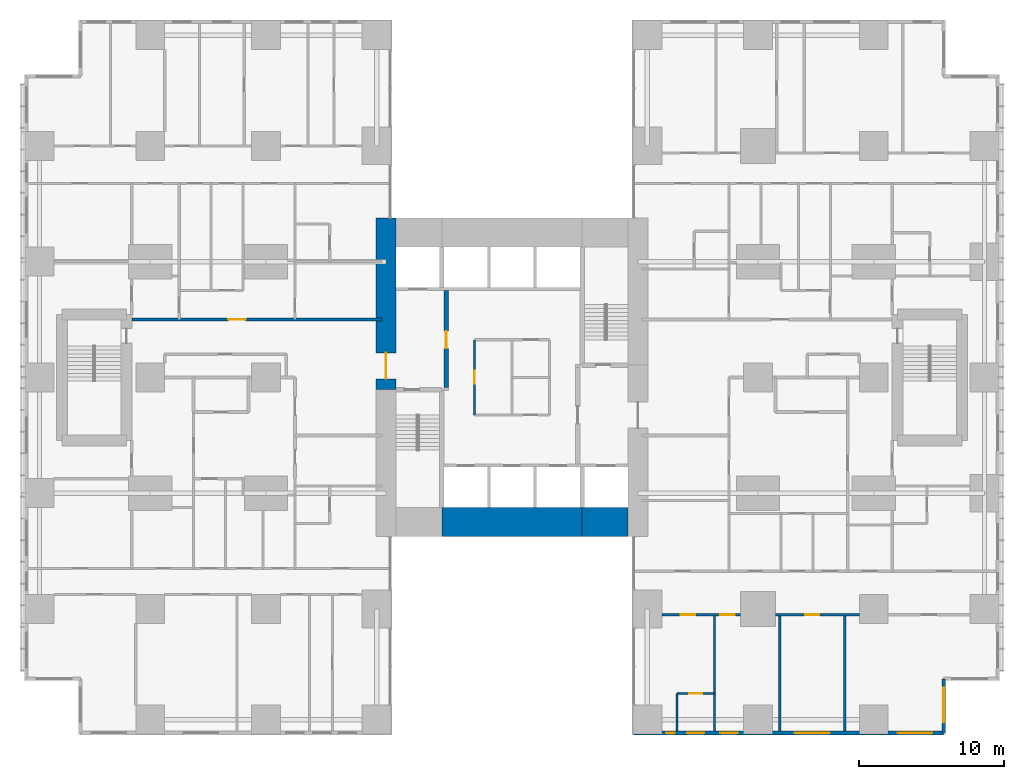
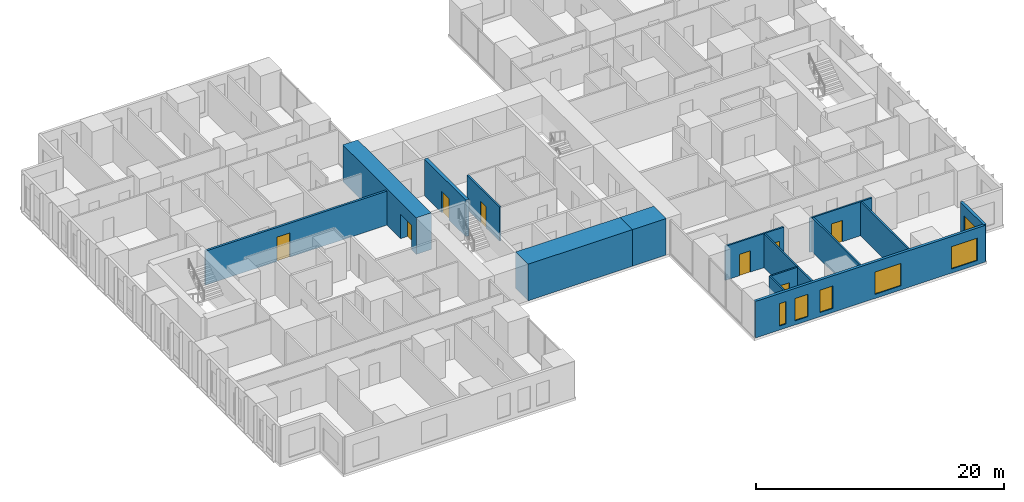
# One storey, part 14 of 20: 15 walls, 8 doors, 6 windows, 14 openings.
"""IFC4 building model written with IfcOpenShell, lengths in metres."""

from ifc_helpers import new_model, si_unit, direction, frame, frame_2d, origin, place, context, subcontext, project, spatial, rectangle, extrude, material, layer, layer_set, type_object, element, fill, save


model = new_model("IFC4")

# Units and contexts
model_context = context("Model", 3, precision=1e-05, world=origin(), true_north=direction((0.0, 1.0)))
body_context = subcontext(model_context, "Body", "Model", "MODEL_VIEW")
ifc_project = project(units=[si_unit("LENGTHUNIT", "METRE"), si_unit("AREAUNIT", "SQUARE_METRE"), si_unit("VOLUMEUNIT", "CUBIC_METRE"), si_unit("PLANEANGLEUNIT", "RADIAN"), si_unit("MASSUNIT", "GRAM", prefix="KILO")], contexts=[model_context])

# Site, building, storey
site_placement = place(None, origin())
site = spatial("IfcSite", under=ifc_project, at=site_placement, CompositionType="ELEMENT")
building_placement = place(site_placement, origin())
building = spatial("IfcBuilding", under=site, at=building_placement, Name="Cleftline Residences", CompositionType="ELEMENT")
storey_placement = place(building_placement, frame((0.0, 0.0, 103.39990234375)))
storey = spatial("IfcBuildingStorey", under=building, at=storey_placement, Name="L26", CompositionType="ELEMENT", Elevation=103.39990234375)

# Wall, opening, door
ifc_material_1 = material(Name="Concrete B70", Category="concrete")
ifc_layer_1 = layer(ifc_material_1, 1.39990234375)
ifc_layer_set_1 = layer_set([ifc_layer_1], Name="CORE WALL 1400")
wall_type_1 = type_object("IfcWallType", Name="CORE WALL 1400", PredefinedType="SHEAR", material=ifc_layer_set_1)
wall_1_placement = place(storey_placement, frame((24.300048828125, 23.14990234375, 0.0), z_axis=(0.0, 0.0, 1.0), x_axis=(0.0, 1.0, 0.0)))
wall_1 = element("IfcWall", 1, at=wall_1_placement, inside=storey, type_object=wall_type_1, Name="Core wall W", PredefinedType="SHEAR", context=body_context, shape_type="SweptSolid", body=[
    extrude(rectangle(XDim=11.85009765625, YDim=1.39990234375, at=frame_2d((5.925048828125, 0.0))), origin(), (0.0, 0.0, 1.0), 3.60009765625),
])
opening_1_placement = place(wall_1_placement, frame((0.75, 0.0, 0.0)))
opening_1 = element("IfcOpeningElement", 2, at=opening_1_placement, cuts=wall_1, Name="Opening D7", PredefinedType="OPENING", context=body_context, shape_type="SweptSolid", body=[
    extrude(rectangle(XDim=1.800048828125, YDim=2.39990234375, at=frame_2d((0.89990234375, 1.199951171875))), frame((0.0, 0.7099609375, 0.0), z_axis=(0.0, -1.0, 0.0), x_axis=(1.0, 0.0, 0.0)), (0.0, 0.0, 1.0), 1.419921875),
])
ifc_material_2 = material(Name="Steel", Category="steel")
door_type_1 = type_object("IfcDoorType", Name="WING DOOR 1800X2400", OperationType="DOUBLE_DOOR_DOUBLE_SWING", PredefinedType="DOOR", material=ifc_material_2)
door_1_placement = place(opening_1_placement, origin())
door_1 = element("IfcDoor", 3, at=door_1_placement, inside=storey, type_object=door_type_1, Name="West wing door", OperationType="DOUBLE_DOOR_DOUBLE_SWING", OverallHeight=2.39990234375, OverallWidth=1.800048828125, PredefinedType="DOOR", context=body_context, shape_type="SweptSolid", body=[
    extrude(rectangle(XDim=1.800048828125, YDim=2.39990234375, at=frame_2d((0.89990234375, 1.199951171875))), frame((0.0, 0.02490234375, 0.0), z_axis=(0.0, -1.0, 0.0), x_axis=(1.0, 0.0, 0.0)), (0.0, 0.0, 1.0), 0.050048828125),
])
fill(opening_1, door_1)

# Walls
ifc_material_3 = material(Name="Concrete B70", Category="concrete")
ifc_layer_2 = layer(ifc_material_3, 2.0)
ifc_layer_set_2 = layer_set([ifc_layer_2], Name="CORE WALL 2000")
wall_type_2 = type_object("IfcWallType", Name="CORE WALL 2000", PredefinedType="SHEAR", material=ifc_layer_set_2)
wall_2_placement = place(storey_placement, frame((28.14990234375, 14.0, 0.0), z_axis=(0.0, 0.0, 1.0), x_axis=(1.0, 0.0, 0.0)))
element("IfcWall", 4, at=wall_2_placement, inside=storey, type_object=wall_type_2, Name="Core wall S2", PredefinedType="SHEAR", context=body_context, shape_type="SweptSolid", body=[
    extrude(rectangle(XDim=9.7001953125, YDim=2.0, at=frame_2d((4.85009765625, 0.0))), origin(), (0.0, 0.0, 1.0), 3.60009765625),
])
wall_3_placement = place(storey_placement, frame((37.85009765625, 14.0, 0.0), z_axis=(0.0, 0.0, 1.0), x_axis=(1.0, 0.0, 0.0)))
element("IfcWall", 5, at=wall_3_placement, inside=storey, type_object=wall_type_2, Name="Core wall S3", PredefinedType="SHEAR", context=body_context, shape_type="SweptSolid", body=[
    extrude(rectangle(XDim=3.14990234375, YDim=2.0, at=frame_2d((1.574951171875, 0.0))), origin(), (0.0, 0.0, 1.0), 3.60009765625),
])

# Wall, openings, windows
ifc_material_4 = material(Name="Rendered reinforced concrete blockwork", Category="masonry")
ifc_layer_3 = layer(ifc_material_4, 0.25)
ifc_layer_set_3 = layer_set([ifc_layer_3], Name="EXTERNAL WALL 250")
wall_type_3 = type_object("IfcWallType", Name="EXTERNAL WALL 250", PredefinedType="SOLIDWALL", material=ifc_layer_set_3)
wall_4_placement = place(storey_placement, frame((41.425048828125, -0.574951171875, 0.0), z_axis=(0.0, 0.0, 1.0), x_axis=(1.0, 0.0, 0.0)))
wall_4 = element("IfcWall", 6, at=wall_4_placement, inside=storey, type_object=wall_type_3, Name="External wall", PredefinedType="SOLIDWALL", context=body_context, shape_type="SweptSolid", body=[
    extrude(rectangle(XDim=21.39990234375, YDim=0.25, at=frame_2d((10.699951171875, 0.0))), origin(), (0.0, 0.0, 1.0), 3.60009765625),
])
opening_2_placement = place(wall_4_placement, frame((2.22509765625, 0.0, 0.39990234375)))
opening_2 = element("IfcOpeningElement", 7, at=opening_2_placement, cuts=wall_4, Name="Opening W10", PredefinedType="OPENING", context=body_context, shape_type="SweptSolid", body=[
    extrude(rectangle(XDim=0.60009765625, YDim=2.199951171875, at=frame_2d((0.300048828125, 1.10009765625))), frame((0.0, 0.135009765625, 0.0), z_axis=(0.0, -1.0, 0.0), x_axis=(1.0, 0.0, 0.0)), (0.0, 0.0, 1.0), 0.27001953125),
])
opening_3_placement = place(wall_4_placement, frame((3.675048828125, 0.0, 0.39990234375)))
opening_3 = element("IfcOpeningElement", 8, at=opening_3_placement, cuts=wall_4, Name="Opening W11", PredefinedType="OPENING", context=body_context, shape_type="SweptSolid", body=[
    extrude(rectangle(XDim=1.199951171875, YDim=2.199951171875, at=frame_2d((0.60009765625, 1.10009765625))), frame((0.0, 0.135009765625, 0.0), z_axis=(0.0, -1.0, 0.0), x_axis=(1.0, 0.0, 0.0)), (0.0, 0.0, 1.0), 0.27001953125),
])
opening_4_placement = place(wall_4_placement, frame((5.97509765625, 0.0, 0.39990234375)))
opening_4 = element("IfcOpeningElement", 9, at=opening_4_placement, cuts=wall_4, Name="Opening W11", PredefinedType="OPENING", context=body_context, shape_type="SweptSolid", body=[
    extrude(rectangle(XDim=1.199951171875, YDim=2.199951171875, at=frame_2d((0.60009765625, 1.10009765625))), frame((0.0, 0.135009765625, 0.0), z_axis=(0.0, -1.0, 0.0), x_axis=(1.0, 0.0, 0.0)), (0.0, 0.0, 1.0), 0.27001953125),
])
opening_5_placement = place(wall_4_placement, frame((11.125, 0.0, 0.39990234375)))
opening_5 = element("IfcOpeningElement", 10, at=opening_5_placement, cuts=wall_4, Name="Opening W12", PredefinedType="OPENING", context=body_context, shape_type="SweptSolid", body=[
    extrude(rectangle(XDim=2.39990234375, YDim=2.199951171875, at=frame_2d((1.199951171875, 1.10009765625))), frame((0.0, 0.135009765625, 0.0), z_axis=(0.0, -1.0, 0.0), x_axis=(1.0, 0.0, 0.0)), (0.0, 0.0, 1.0), 0.27001953125),
])
opening_6_placement = place(wall_4_placement, frame((18.22509765625, 0.0, 0.39990234375)))
opening_6 = element("IfcOpeningElement", 11, at=opening_6_placement, cuts=wall_4, Name="Opening W12", PredefinedType="OPENING", context=body_context, shape_type="SweptSolid", body=[
    extrude(rectangle(XDim=2.39990234375, YDim=2.199951171875, at=frame_2d((1.199951171875, 1.10009765625))), frame((0.0, 0.135009765625, 0.0), z_axis=(0.0, -1.0, 0.0), x_axis=(1.0, 0.0, 0.0)), (0.0, 0.0, 1.0), 0.27001953125),
])
ifc_material_5 = material(Name="Aluminium frame, clear double glazing", Category="aluminium")
window_type_1 = type_object("IfcWindowType", Name="WINDOW 1200X2200", PartitioningType="DOUBLE_PANEL_VERTICAL", PredefinedType="WINDOW", material=ifc_material_5)
window_1_placement = place(opening_3_placement, origin())
window_1 = element("IfcWindow", 12, at=window_1_placement, inside=storey, type_object=window_type_1, Name="Window", OverallHeight=2.199951171875, OverallWidth=1.199951171875, PartitioningType="SINGLE_PANEL", PredefinedType="WINDOW", context=body_context, shape_type="SweptSolid", body=[
    extrude(rectangle(XDim=1.199951171875, YDim=2.199951171875, at=frame_2d((0.60009765625, 1.10009765625))), frame((0.0, 0.030029296875, 0.0), z_axis=(0.0, -1.0, 0.0), x_axis=(1.0, 0.0, 0.0)), (0.0, 0.0, 1.0), 0.06005859375),
])
fill(opening_3, window_1)
window_2_placement = place(opening_4_placement, origin())
window_2 = element("IfcWindow", 13, at=window_2_placement, inside=storey, type_object=window_type_1, Name="Window", OverallHeight=2.199951171875, OverallWidth=1.199951171875, PartitioningType="SINGLE_PANEL", PredefinedType="WINDOW", context=body_context, shape_type="SweptSolid", body=[
    extrude(rectangle(XDim=1.199951171875, YDim=2.199951171875, at=frame_2d((0.60009765625, 1.10009765625))), frame((0.0, 0.030029296875, 0.0), z_axis=(0.0, -1.0, 0.0), x_axis=(1.0, 0.0, 0.0)), (0.0, 0.0, 1.0), 0.06005859375),
])
fill(opening_4, window_2)
ifc_material_6 = material(Name="Aluminium frame, clear double glazing", Category="aluminium")
window_type_2 = type_object("IfcWindowType", Name="WINDOW 2400X2200", PartitioningType="DOUBLE_PANEL_VERTICAL", PredefinedType="WINDOW", material=ifc_material_6)
window_3_placement = place(opening_5_placement, origin())
window_3 = element("IfcWindow", 14, at=window_3_placement, inside=storey, type_object=window_type_2, Name="Window", OverallHeight=2.199951171875, OverallWidth=2.39990234375, PartitioningType="SINGLE_PANEL", PredefinedType="WINDOW", context=body_context, shape_type="SweptSolid", body=[
    extrude(rectangle(XDim=2.39990234375, YDim=2.199951171875, at=frame_2d((1.199951171875, 1.10009765625))), frame((0.0, 0.030029296875, 0.0), z_axis=(0.0, -1.0, 0.0), x_axis=(1.0, 0.0, 0.0)), (0.0, 0.0, 1.0), 0.06005859375),
])
fill(opening_5, window_3)
window_4_placement = place(opening_6_placement, origin())
window_4 = element("IfcWindow", 15, at=window_4_placement, inside=storey, type_object=window_type_2, Name="Window", OverallHeight=2.199951171875, OverallWidth=2.39990234375, PartitioningType="SINGLE_PANEL", PredefinedType="WINDOW", context=body_context, shape_type="SweptSolid", body=[
    extrude(rectangle(XDim=2.39990234375, YDim=2.199951171875, at=frame_2d((1.199951171875, 1.10009765625))), frame((0.0, 0.030029296875, 0.0), z_axis=(0.0, -1.0, 0.0), x_axis=(1.0, 0.0, 0.0)), (0.0, 0.0, 1.0), 0.06005859375),
])
fill(opening_6, window_4)
ifc_material_7 = material(Name="Aluminium frame, clear double glazing", Category="aluminium")
window_type_3 = type_object("IfcWindowType", Name="WINDOW 600X2200", PartitioningType="DOUBLE_PANEL_VERTICAL", PredefinedType="WINDOW", material=ifc_material_7)
window_5_placement = place(opening_2_placement, origin())
window_5 = element("IfcWindow", 16, at=window_5_placement, inside=storey, type_object=window_type_3, Name="Window", OverallHeight=2.199951171875, OverallWidth=0.60009765625, PartitioningType="SINGLE_PANEL", PredefinedType="WINDOW", context=body_context, shape_type="SweptSolid", body=[
    extrude(rectangle(XDim=0.60009765625, YDim=2.199951171875, at=frame_2d((0.300048828125, 1.10009765625))), frame((0.0, 0.030029296875, 0.0), z_axis=(0.0, -1.0, 0.0), x_axis=(1.0, 0.0, 0.0)), (0.0, 0.0, 1.0), 0.06005859375),
])
fill(opening_2, window_5)

# Wall, opening, window
wall_5_placement = place(storey_placement, frame((62.824951171875, -0.574951171875, 0.0), z_axis=(0.0, 0.0, 1.0), x_axis=(0.0, 1.0, 0.0)))
wall_5 = element("IfcWall", 17, at=wall_5_placement, inside=storey, type_object=wall_type_3, Name="External wall", PredefinedType="SOLIDWALL", context=body_context, shape_type="SweptSolid", body=[
    extrude(rectangle(XDim=3.75, YDim=0.25, at=frame_2d((1.875, 0.0))), origin(), (0.0, 0.0, 1.0), 3.60009765625),
])
opening_7_placement = place(wall_5_placement, frame((0.737548828125, 0.0, 0.39990234375)))
opening_7 = element("IfcOpeningElement", 18, at=opening_7_placement, cuts=wall_5, Name="Opening W12", PredefinedType="OPENING", context=body_context, shape_type="SweptSolid", body=[
    extrude(rectangle(XDim=2.39990234375, YDim=2.199951171875, at=frame_2d((1.199951171875, 1.10009765625))), frame((0.0, 0.135009765625, 0.0), z_axis=(0.0, -1.0, 0.0), x_axis=(1.0, 0.0, 0.0)), (0.0, 0.0, 1.0), 0.27001953125),
])
window_6_placement = place(opening_7_placement, origin())
window_6 = element("IfcWindow", 19, at=window_6_placement, inside=storey, type_object=window_type_2, Name="Window", OverallHeight=2.199951171875, OverallWidth=2.39990234375, PartitioningType="SINGLE_PANEL", PredefinedType="WINDOW", context=body_context, shape_type="SweptSolid", body=[
    extrude(rectangle(XDim=2.39990234375, YDim=2.199951171875, at=frame_2d((1.199951171875, 1.10009765625))), frame((0.0, 0.030029296875, 0.0), z_axis=(0.0, -1.0, 0.0), x_axis=(1.0, 0.0, 0.0)), (0.0, 0.0, 1.0), 0.06005859375),
])
fill(opening_7, window_6)

# Wall, opening, door
ifc_material_8 = material(Name="Concrete blockwork, fire rated", Category="masonry")
ifc_layer_4 = layer(ifc_material_8, 0.199951171875)
ifc_layer_set_4 = layer_set([ifc_layer_4], Name="FIRE WALL 200")
wall_type_4 = type_object("IfcWallType", Name="FIRE WALL 200", PredefinedType="PARTITIONING", material=ifc_layer_set_4)
wall_6_placement = place(storey_placement, frame((6.72509765625, 28.0, 0.0), z_axis=(0.0, 0.0, 1.0), x_axis=(1.0, 0.0, 0.0)))
wall_6 = element("IfcWall", 20, at=wall_6_placement, inside=storey, type_object=wall_type_4, Name="Fire separating wall", PredefinedType="PARTITIONING", context=body_context, shape_type="SweptSolid", body=[
    extrude(rectangle(XDim=17.27490234375, YDim=0.199951171875, at=frame_2d((8.637451171875, 0.0))), origin(), (0.0, 0.0, 1.0), 3.35009765625),
])
opening_8_placement = place(wall_6_placement, frame((6.675048828125, 0.0, 0.0)))
opening_8 = element("IfcOpeningElement", 21, at=opening_8_placement, cuts=wall_6, Name="Opening D4", PredefinedType="OPENING", context=body_context, shape_type="SweptSolid", body=[
    extrude(rectangle(XDim=1.199951171875, YDim=2.39990234375, at=frame_2d((0.60009765625, 1.199951171875))), frame((0.0, 0.10986328125, 0.0), z_axis=(0.0, -1.0, 0.0), x_axis=(1.0, 0.0, 0.0)), (0.0, 0.0, 1.0), 0.219970703125),
])
ifc_material_9 = material(Name="Timber veneer on solid core", Category="wood")
door_type_2 = type_object("IfcDoorType", Name="APARTMENT ENTRANCE DOOR 1200X2400", OperationType="SINGLE_SWING_RIGHT", PredefinedType="DOOR", material=ifc_material_9)
door_2_placement = place(opening_8_placement, origin())
door_2 = element("IfcDoor", 22, at=door_2_placement, inside=storey, type_object=door_type_2, Name="Door to residence entrance (gallery)", OperationType="SINGLE_SWING_RIGHT", OverallHeight=2.39990234375, OverallWidth=1.199951171875, PredefinedType="DOOR", context=body_context, shape_type="SweptSolid", body=[
    extrude(rectangle(XDim=1.199951171875, YDim=2.39990234375, at=frame_2d((0.60009765625, 1.199951171875))), frame((0.0, 0.02490234375, 0.0), z_axis=(0.0, -1.0, 0.0), x_axis=(1.0, 0.0, 0.0)), (0.0, 0.0, 1.0), 0.050048828125),
])
fill(opening_8, door_2)

ifc_material_10 = material(Name="Gypsum board on steel studs", Category="steel")
ifc_layer_5 = layer(ifc_material_10, 0.14990234375)
ifc_layer_set_5 = layer_set([ifc_layer_5], Name="PARTITION 150")
wall_type_5 = type_object("IfcWallType", Name="PARTITION 150", PredefinedType="PARTITIONING", material=ifc_layer_set_5)
wall_7_placement = place(storey_placement, frame((44.39990234375, 2.14990234375, 0.0), z_axis=(0.0, 0.0, 1.0), x_axis=(1.0, 0.0, 0.0)))
wall_7 = element("IfcWall", 23, at=wall_7_placement, inside=storey, type_object=wall_type_5, Name="Partition", PredefinedType="PARTITIONING", context=body_context, shape_type="SweptSolid", body=[
    extrude(rectangle(XDim=2.60009765625, YDim=0.14990234375, at=frame_2d((1.300048828125, 0.0))), origin(), (0.0, 0.0, 1.0), 3.35009765625),
])
opening_9_placement = place(wall_7_placement, frame((0.85009765625, 0.0, 0.0)))
opening_9 = element("IfcOpeningElement", 24, at=opening_9_placement, cuts=wall_7, Name="Opening D1", PredefinedType="OPENING", context=body_context, shape_type="SweptSolid", body=[
    extrude(rectangle(XDim=0.89990234375, YDim=2.10009765625, at=frame_2d((0.449951171875, 1.050048828125))), frame((0.0, 0.0849609375, 0.0), z_axis=(0.0, -1.0, 0.0), x_axis=(1.0, 0.0, 0.0)), (0.0, 0.0, 1.0), 0.169921875),
])
ifc_material_11 = material(Name="Timber veneer on solid core", Category="wood")
door_type_3 = type_object("IfcDoorType", Name="DOOR 900X2100", OperationType="SINGLE_SWING_LEFT", PredefinedType="DOOR", material=ifc_material_11)
door_3_placement = place(opening_9_placement, origin())
door_3 = element("IfcDoor", 25, at=door_3_placement, inside=storey, type_object=door_type_3, Name="Door to en-suite bathroom 3", OperationType="SINGLE_SWING_LEFT", OverallHeight=2.10009765625, OverallWidth=0.89990234375, PredefinedType="DOOR", context=body_context, shape_type="SweptSolid", body=[
    extrude(rectangle(XDim=0.89990234375, YDim=2.10009765625, at=frame_2d((0.449951171875, 1.050048828125))), frame((0.0, 0.02490234375, 0.0), z_axis=(0.0, -1.0, 0.0), x_axis=(1.0, 0.0, 0.0)), (0.0, 0.0, 1.0), 0.050048828125),
])
fill(opening_9, door_3)

# Wall, openings, doors
wall_8_placement = place(storey_placement, frame((43.35009765625, 7.60009765625, 0.0), z_axis=(0.0, 0.0, 1.0), x_axis=(1.0, 0.0, 0.0)))
wall_8 = element("IfcWall", 26, at=wall_8_placement, inside=storey, type_object=wall_type_5, Name="Partition", PredefinedType="PARTITIONING", context=body_context, shape_type="SweptSolid", body=[
    extrude(rectangle(XDim=5.449951171875, YDim=0.14990234375, at=frame_2d((2.72509765625, 0.0))), origin(), (0.0, 0.0, 1.0), 3.35009765625),
])
opening_10_placement = place(wall_8_placement, frame((4.050048828125, 0.0, 0.0)))
opening_10 = element("IfcOpeningElement", 27, at=opening_10_placement, cuts=wall_8, Name="Opening D2", PredefinedType="OPENING", context=body_context, shape_type="SweptSolid", body=[
    extrude(rectangle(XDim=1.0, YDim=2.10009765625, at=frame_2d((0.5, 1.050048828125))), frame((0.0, 0.0849609375, 0.0), z_axis=(0.0, -1.0, 0.0), x_axis=(1.0, 0.0, 0.0)), (0.0, 0.0, 1.0), 0.169921875),
])
opening_11_placement = place(wall_8_placement, frame((1.324951171875, 0.0, 0.0)))
opening_11 = element("IfcOpeningElement", 28, at=opening_11_placement, cuts=wall_8, Name="Opening D2", PredefinedType="OPENING", context=body_context, shape_type="SweptSolid", body=[
    extrude(rectangle(XDim=1.0, YDim=2.10009765625, at=frame_2d((0.5, 1.050048828125))), frame((0.0, 0.0849609375, 0.0), z_axis=(0.0, -1.0, 0.0), x_axis=(1.0, 0.0, 0.0)), (0.0, 0.0, 1.0), 0.169921875),
])
ifc_material_12 = material(Name="Timber veneer on solid core", Category="wood")
door_type_4 = type_object("IfcDoorType", Name="DOOR 1000X2100", OperationType="SINGLE_SWING_LEFT", PredefinedType="DOOR", material=ifc_material_12)
door_4_placement = place(opening_10_placement, origin())
door_4 = element("IfcDoor", 29, at=door_4_placement, inside=storey, type_object=door_type_4, Name="Door to show kitchen", OperationType="SINGLE_SWING_LEFT", OverallHeight=2.10009765625, OverallWidth=1.0, PredefinedType="DOOR", context=body_context, shape_type="SweptSolid", body=[
    extrude(rectangle(XDim=1.0, YDim=2.10009765625, at=frame_2d((0.5, 1.050048828125))), frame((0.0, 0.02490234375, 0.0), z_axis=(0.0, -1.0, 0.0), x_axis=(1.0, 0.0, 0.0)), (0.0, 0.0, 1.0), 0.050048828125),
])
fill(opening_10, door_4)
door_5_placement = place(opening_11_placement, origin())
door_5 = element("IfcDoor", 30, at=door_5_placement, inside=storey, type_object=door_type_4, Name="Door to bedroom 3", OperationType="SINGLE_SWING_RIGHT", OverallHeight=2.10009765625, OverallWidth=1.0, PredefinedType="DOOR", context=body_context, shape_type="SweptSolid", body=[
    extrude(rectangle(XDim=1.0, YDim=2.10009765625, at=frame_2d((0.5, 1.050048828125))), frame((0.0, 0.02490234375, 0.0), z_axis=(0.0, -1.0, 0.0), x_axis=(1.0, 0.0, 0.0)), (0.0, 0.0, 1.0), 0.050048828125),
])
fill(opening_11, door_5)

# Wall, opening, door
wall_9_placement = place(storey_placement, frame((51.199951171875, 7.60009765625, 0.0), z_axis=(0.0, 0.0, 1.0), x_axis=(1.0, 0.0, 0.0)))
wall_9 = element("IfcWall", 31, at=wall_9_placement, inside=storey, type_object=wall_type_5, Name="Partition", PredefinedType="PARTITIONING", context=body_context, shape_type="SweptSolid", body=[
    extrude(rectangle(XDim=5.800048828125, YDim=0.14990234375, at=frame_2d((2.89990234375, 0.0))), origin(), (0.0, 0.0, 1.0), 3.35009765625),
])
opening_12_placement = place(wall_9_placement, frame((2.050048828125, 0.0, 0.0)))
opening_12 = element("IfcOpeningElement", 32, at=opening_12_placement, cuts=wall_9, Name="Opening D2", PredefinedType="OPENING", context=body_context, shape_type="SweptSolid", body=[
    extrude(rectangle(XDim=1.0, YDim=2.10009765625, at=frame_2d((0.5, 1.050048828125))), frame((0.0, 0.0849609375, 0.0), z_axis=(0.0, -1.0, 0.0), x_axis=(1.0, 0.0, 0.0)), (0.0, 0.0, 1.0), 0.169921875),
])
door_6_placement = place(opening_12_placement, origin())
door_6 = element("IfcDoor", 33, at=door_6_placement, inside=storey, type_object=door_type_4, Name="Door to dining room", OperationType="SINGLE_SWING_RIGHT", OverallHeight=2.10009765625, OverallWidth=1.0, PredefinedType="DOOR", context=body_context, shape_type="SweptSolid", body=[
    extrude(rectangle(XDim=1.0, YDim=2.10009765625, at=frame_2d((0.5, 1.050048828125))), frame((0.0, 0.02490234375, 0.0), z_axis=(0.0, -1.0, 0.0), x_axis=(1.0, 0.0, 0.0)), (0.0, 0.0, 1.0), 0.050048828125),
])
fill(opening_12, door_6)

# Walls
wall_10_placement = place(storey_placement, frame((44.39990234375, -0.449951171875, 0.0), z_axis=(0.0, 0.0, 1.0), x_axis=(0.0, 1.0, 0.0)))
element("IfcWall", 34, at=wall_10_placement, inside=storey, type_object=wall_type_5, Name="Partition", PredefinedType="PARTITIONING", context=body_context, shape_type="SweptSolid", body=[
    extrude(rectangle(XDim=2.599853515625, YDim=0.14990234375, at=frame_2d((1.2998046875, 0.0))), origin(), (0.0, 0.0, 1.0), 3.35009765625),
])
for number, where, z_axis, x_axis, name in (
    (35, (47.0, -0.449951171875, 0.0), (0.0, 0.0, 1.0), (0.0, 1.0, 0.0), "Partition"),
    (36, (51.5, -0.449951171875, 0.0), (0.0, 0.0, 1.0), (0.0, 1.0, 0.0), "Partition"),
    (37, (56.0, -0.449951171875, 0.0), (0.0, 0.0, 1.0), (0.0, 1.0, 0.0), "Partition"),
):
    element("IfcWall", number, at=place(storey_placement, frame(where, z_axis=z_axis, x_axis=x_axis)), inside=storey, type_object=wall_type_5, Name=name, PredefinedType="PARTITIONING", context=body_context, shape_type="SweptSolid", body=[
        extrude(rectangle(XDim=8.050048828125, YDim=0.14990234375, at=frame_2d((4.02490234375, 0.0))), origin(), (0.0, 0.0, 1.0), 3.35009765625),
    ])

# Wall, opening, door
ifc_material_13 = material(Name="Fire-resisting gypsum board on steel studs", Category="steel")
ifc_layer_6 = layer(ifc_material_13, 0.14990234375)
ifc_layer_set_6 = layer_set([ifc_layer_6], Name="PARTITION 150 EI 60")
wall_type_6 = type_object("IfcWallType", Name="PARTITION 150 EI 60", PredefinedType="PARTITIONING", material=ifc_layer_set_6)
wall_11_placement = place(storey_placement, frame((30.39990234375, 21.39990234375, 0.0), z_axis=(0.0, 0.0, 1.0), x_axis=(0.0, 1.0, 0.0)))
wall_11 = element("IfcWall", 38, at=wall_11_placement, inside=storey, type_object=wall_type_6, Name="Core room partition", PredefinedType="PARTITIONING", context=body_context, shape_type="SweptSolid", body=[
    extrude(rectangle(XDim=5.2001953125, YDim=0.14990234375, at=frame_2d((2.60009765625, 0.0))), origin(), (0.0, 0.0, 1.0), 3.35009765625),
])
opening_13_placement = place(wall_11_placement, frame((2.14990234375, 0.0, 0.0)))
opening_13 = element("IfcOpeningElement", 39, at=opening_13_placement, cuts=wall_11, Name="Opening D1F30", PredefinedType="OPENING", context=body_context, shape_type="SweptSolid", body=[
    extrude(rectangle(XDim=0.89990234375, YDim=2.10009765625, at=frame_2d((0.449951171875, 1.050048828125))), frame((0.0, 0.0849609375, 0.0), z_axis=(0.0, -1.0, 0.0), x_axis=(1.0, 0.0, 0.0)), (0.0, 0.0, 1.0), 0.169921875),
])
ifc_material_14 = material(Name="Timber veneer on solid core", Category="wood")
door_type_5 = type_object("IfcDoorType", Name="DOOR 900X2100 EI 30", OperationType="SINGLE_SWING_LEFT", PredefinedType="DOOR", material=ifc_material_14)
door_7_placement = place(opening_13_placement, origin())
door_7 = element("IfcDoor", 40, at=door_7_placement, inside=storey, type_object=door_type_5, Name="Door to linen store", OperationType="SINGLE_SWING_LEFT", OverallHeight=2.10009765625, OverallWidth=0.89990234375, PredefinedType="DOOR", context=body_context, shape_type="SweptSolid", body=[
    extrude(rectangle(XDim=0.89990234375, YDim=2.10009765625, at=frame_2d((0.449951171875, 1.050048828125))), frame((0.0, 0.02490234375, 0.0), z_axis=(0.0, -1.0, 0.0), x_axis=(1.0, 0.0, 0.0)), (0.0, 0.0, 1.0), 0.050048828125),
])
fill(opening_13, door_7)

ifc_material_15 = material(Name="Concrete blockwork, fire rated", Category="masonry")
ifc_layer_7 = layer(ifc_material_15, 0.300048828125)
ifc_layer_set_7 = layer_set([ifc_layer_7], Name="STAIR LOBBY WALL 300")
wall_type_7 = type_object("IfcWallType", Name="STAIR LOBBY WALL 300", PredefinedType="PARTITIONING", material=ifc_layer_set_7)
wall_12_placement = place(storey_placement, frame((28.449951171875, 23.300048828125, 0.0), z_axis=(0.0, 0.0, 1.0), x_axis=(0.0, 1.0, 0.0)))
wall_12 = element("IfcWall", 41, at=wall_12_placement, inside=storey, type_object=wall_type_7, Name="Stair and lobby wall FA-E", PredefinedType="PARTITIONING", context=body_context, shape_type="SweptSolid", body=[
    extrude(rectangle(XDim=6.699951171875, YDim=0.300048828125, at=frame_2d((3.35009765625, 0.0))), origin(), (0.0, 0.0, 1.0), 3.60009765625),
])
opening_14_placement = place(wall_12_placement, frame((2.699951171875, 0.0, 0.0)))
opening_14 = element("IfcOpeningElement", 42, at=opening_14_placement, cuts=wall_12, Name="Opening D6", PredefinedType="OPENING", context=body_context, shape_type="SweptSolid", body=[
    extrude(rectangle(XDim=1.199951171875, YDim=2.10009765625, at=frame_2d((0.60009765625, 1.050048828125))), frame((0.0, 0.159912109375, 0.0), z_axis=(0.0, -1.0, 0.0), x_axis=(1.0, 0.0, 0.0)), (0.0, 0.0, 1.0), 0.320068359375),
])
ifc_material_16 = material(Name="Steel", Category="steel")
door_type_6 = type_object("IfcDoorType", Name="LOBBY DOOR 1200X2100", OperationType="SINGLE_SWING_RIGHT", PredefinedType="DOOR", material=ifc_material_16)
door_8_placement = place(opening_14_placement, origin())
door_8 = element("IfcDoor", 43, at=door_8_placement, inside=storey, type_object=door_type_6, Name="Firefighting lobby A door", OperationType="SINGLE_SWING_RIGHT", OverallHeight=2.10009765625, OverallWidth=1.199951171875, PredefinedType="DOOR", context=body_context, shape_type="SweptSolid", body=[
    extrude(rectangle(XDim=1.199951171875, YDim=2.10009765625, at=frame_2d((0.60009765625, 1.050048828125))), frame((0.0, 0.02490234375, 0.0), z_axis=(0.0, -1.0, 0.0), x_axis=(1.0, 0.0, 0.0)), (0.0, 0.0, 1.0), 0.050048828125),
])
fill(opening_14, door_8)

save(model, "model.ifc")
